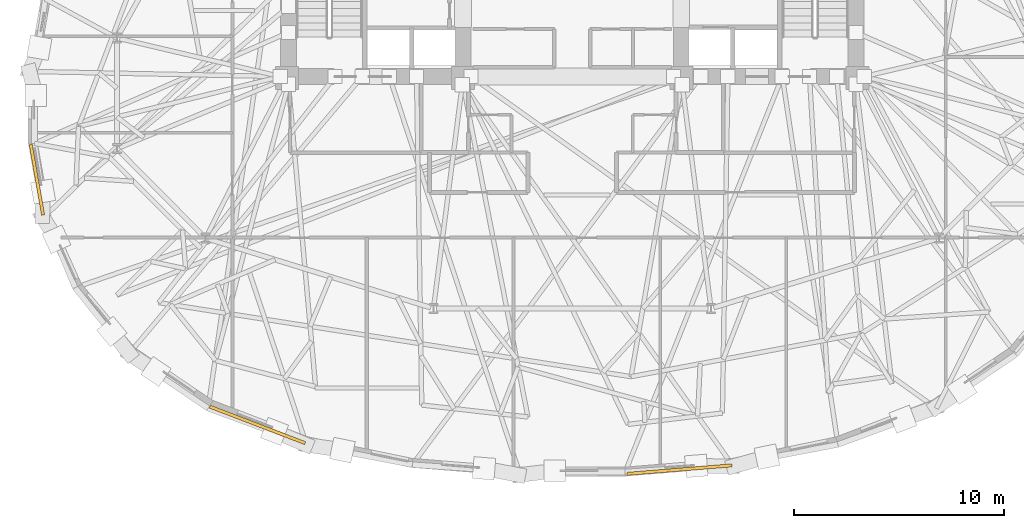
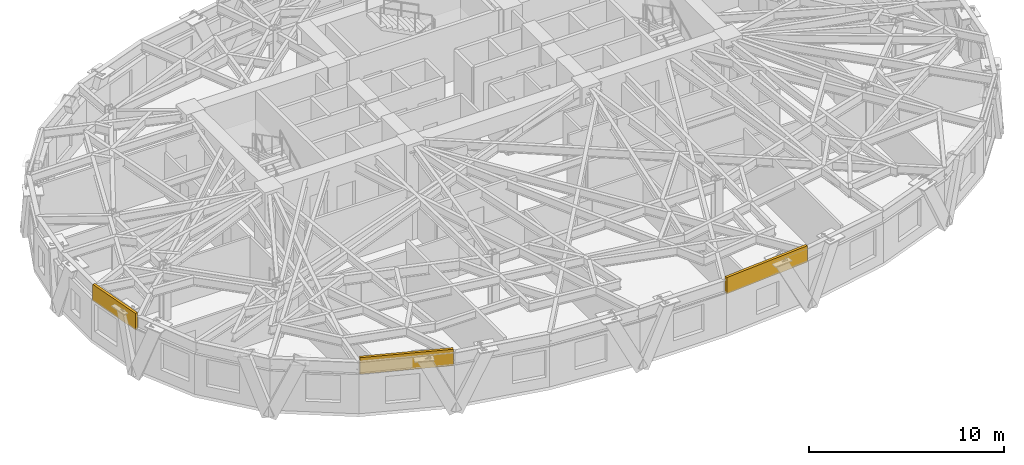
# One storey, part 11 of 14: 3 coverings.
"""IFC4 building model written with IfcOpenShell, lengths in metres."""

from ifc_helpers import new_model, si_unit, direction, frame, origin, origin_2d, place, context, subcontext, project, spatial, rectangle, extrude, material, layer, layer_set, type_object, element, save


model = new_model("IFC4")

# Units and contexts
model_context = context("Model", 3, precision=1e-05, world=origin(), true_north=direction((0.0, 1.0)))
body_context = subcontext(model_context, "Body", "Model", "MODEL_VIEW")
ifc_project = project(units=[si_unit("LENGTHUNIT", "METRE"), si_unit("AREAUNIT", "SQUARE_METRE"), si_unit("VOLUMEUNIT", "CUBIC_METRE"), si_unit("PLANEANGLEUNIT", "RADIAN"), si_unit("MASSUNIT", "GRAM", prefix="KILO")], contexts=[model_context])

# Site, building, storey
site_placement = place(None, origin())
site = spatial("IfcSite", under=ifc_project, at=site_placement, CompositionType="ELEMENT")
building_placement = place(site_placement, origin())
building = spatial("IfcBuilding", under=site, at=building_placement, Name="Keldmark Tower", CompositionType="ELEMENT")
storey_placement = place(building_placement, frame((0.0, 0.0, 124.60009765625)))
storey = spatial("IfcBuildingStorey", under=building, at=storey_placement, Name="L33", CompositionType="ELEMENT", Elevation=124.60009765625)

# Coverings
ifc_material = material(Name="Honed Kasota Buff Dolomitic Limestone", Category="masonry")
ifc_layer = layer(ifc_material, 0.074951171875)
ifc_layer_set = layer_set([ifc_layer], Name="Honed Kasota Buff Dolomitic Limestone")
covering_type = type_object("IfcCoveringType", Name="Kasota Buff Limestone Spandrel Cladding Band", PredefinedType="CLADDING", material=ifc_layer_set)
covering_1_placement = place(storey_placement, frame((-25.510498046875, -3.449462890625, 2.45166015625), z_axis=(0.0, 0.0, 1.0), x_axis=(0.173562236317, -0.984822902925, 0.0)))
element("IfcCovering", 1, at=covering_1_placement, inside=storey, type_object=covering_type, Name="L33 Kasota Limestone Spandrel Band 17", PredefinedType="CLADDING", context=body_context, shape_type="SweptSolid", body=[
    extrude(rectangle(XDim=3.408447265625, YDim=0.14990234375, at=origin_2d()), origin(), (0.0, 0.0, 1.0), 1.028076171875),
])
covering_2_placement = place(storey_placement, frame((-14.99609375, -15.129638671875, 2.45166015625), z_axis=(0.0, 0.0, 1.0), x_axis=(0.933849115686, -0.35766720444, 0.0)))
element("IfcCovering", 2, at=covering_2_placement, inside=storey, type_object=covering_type, Name="L33 Kasota Limestone Spandrel Band 21", PredefinedType="CLADDING", context=body_context, shape_type="SweptSolid", body=[
    extrude(rectangle(XDim=4.85888671875, YDim=0.14990234375, at=origin_2d()), origin(), (0.0, 0.0, 1.0), 1.028076171875),
])
covering_3_placement = place(storey_placement, frame((5.107177734375, -17.259765625, 2.45166015625), z_axis=(0.0, 0.0, 1.0), x_axis=(0.996733931468, 0.080755618139, 0.0)))
element("IfcCovering", 3, at=covering_3_placement, inside=storey, type_object=covering_type, Name="L33 Kasota Limestone Spandrel Band 25", PredefinedType="CLADDING", context=body_context, shape_type="SweptSolid", body=[
    extrude(rectangle(XDim=5.02197265625, YDim=0.14990234375, at=origin_2d()), origin(), (0.0, 0.0, 1.0), 1.028076171875),
])

save(model, "model.ifc")
